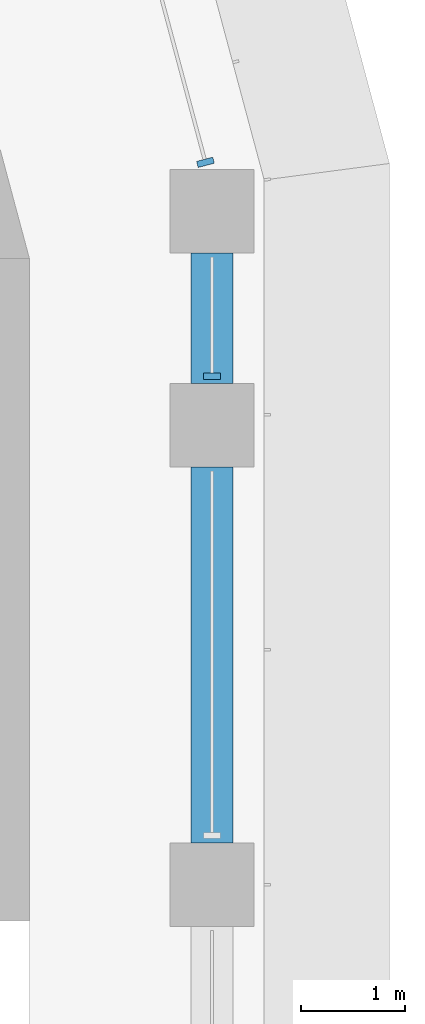
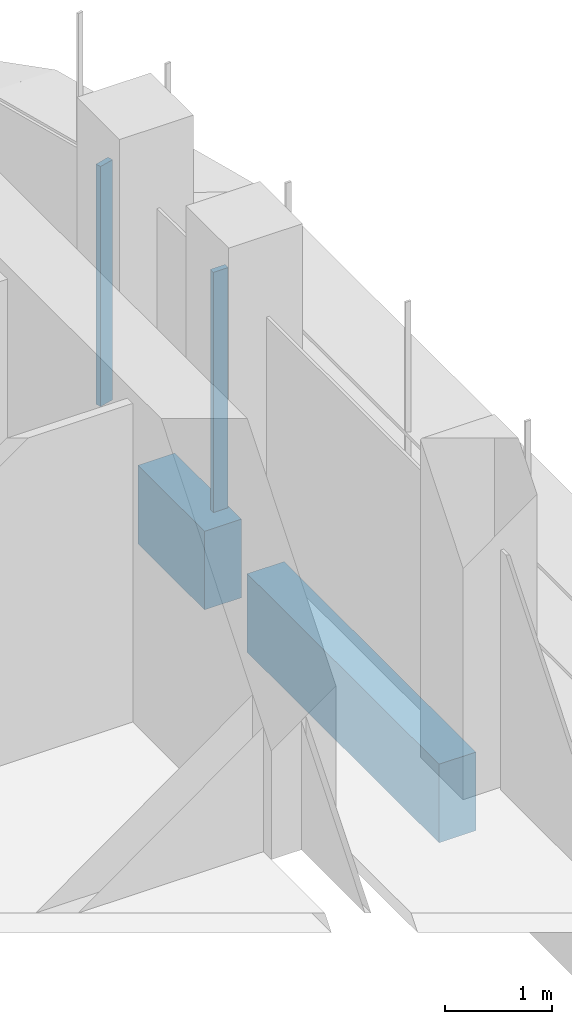
# One storey, part 9 of 20: 2 beams, 2 members, 2 elements without a shape of their own.
"""IFC4 building model written with IfcOpenShell, lengths in metres."""

from ifc_helpers import new_model, si_unit, direction, frame, origin, origin_2d, place, context, subcontext, project, spatial, polyline, rectangle, outline, extrude, source, transform, mapped, material, material_profile, profile_set, type_object, element, aggregate, save


model = new_model("IFC4")

# Units and contexts
model_context = context("Model", 3, precision=1e-05, world=origin(), true_north=direction((0.0, 1.0)))
body_context = subcontext(model_context, "Body", "Model", "MODEL_VIEW")
ifc_project = project(units=[si_unit("LENGTHUNIT", "METRE"), si_unit("AREAUNIT", "SQUARE_METRE"), si_unit("VOLUMEUNIT", "CUBIC_METRE"), si_unit("PLANEANGLEUNIT", "RADIAN"), si_unit("MASSUNIT", "GRAM", prefix="KILO")], contexts=[model_context])

# Site, building, storey
site_placement = place(None, origin())
site = spatial("IfcSite", under=ifc_project, at=site_placement, CompositionType="ELEMENT")
building_placement = place(site_placement, origin())
building = spatial("IfcBuilding", under=site, at=building_placement, Name="Zarbagh Exchange Tower", CompositionType="ELEMENT")
storey_placement = place(building_placement, frame((0.0, 0.0, 152.39990234375)))
storey = spatial("IfcBuildingStorey", under=building, at=storey_placement, Name="L36", CompositionType="ELEMENT", Elevation=152.39990234375)

# Beams
ifc_material_1 = material(Name="Concrete C50/60", Category="concrete")
ifc_material_profile = material_profile(ifc_material_1, rectangle(XDim=0.39990234375, YDim=0.89990234375, at=origin_2d()), Name="RC spandrel beam 400 x 900 C50/60")
ifc_profile_set = profile_set([ifc_material_profile], Name="Concrete C50/60")
beam_type = type_object("IfcBeamType", Name="RC spandrel beam 400 x 900 C50/60", PredefinedType="SPANDREL", material=ifc_profile_set)
beam_1_placement = place(storey_placement, frame((6.25, 26.300048828125, -0.599853515625), z_axis=(0.0, -1.0, 0.0), x_axis=(1.0, 0.0, 0.0)))
element("IfcBeam", 1, at=beam_1_placement, inside=storey, type_object=beam_type, Name="RC spandrel beam", PredefinedType="SPANDREL", context=body_context, shape_type="SweptSolid", body=[
    extrude(rectangle(XDim=0.39990234375, YDim=0.89990234375, at=origin_2d()), origin(), (0.0, 0.0, 1.0), 1.25),
])
beam_2_placement = place(storey_placement, frame((6.25, 24.25, -0.599853515625), z_axis=(0.0, -1.0, 0.0), x_axis=(1.0, 0.0, 0.0)))
element("IfcBeam", 2, at=beam_2_placement, inside=storey, type_object=beam_type, Name="RC spandrel beam", PredefinedType="SPANDREL", context=body_context, shape_type="SweptSolid", body=[
    extrude(rectangle(XDim=0.39990234375, YDim=0.89990234375, at=origin_2d()), origin(), (0.0, 0.0, 1.0), 3.60009765625),
])

# Curtain wall, member
ifc_material_2 = material(Name="Anodised aluminium frame and glazing", Category="aluminium")
curtain_wall_type = type_object("IfcCurtainWallType", Name="CWB Ribbon glazing, upper zones", PredefinedType="NOTDEFINED", material=ifc_material_2)
curtain_wall_1_placement = place(storey_placement, origin())
curtain_wall_1 = element("IfcCurtainWall", 3, at=curtain_wall_1_placement, inside=storey, type_object=curtain_wall_type, Name="CWB20 curtain wall", PredefinedType="NOTDEFINED")
ifc_material_3 = material(Name="Anodised aluminium frame", Category="aluminium")
member_type = type_object("IfcMemberType", Name="MUB Mullion, anodised aluminium frame", PredefinedType="MULLION", material=ifc_material_3)
shared_shape = source(origin(), body_context, "Body", "SweptSolid", [
    extrude(outline(polyline([(0.0, -0.080078125), (0.06005859375, -0.080078125), (0.06005859375, 0.080078125), (0.0, 0.080078125), (0.0, -0.080078125)])), origin(), (0.0, 0.0, 1.0), 2.75),
])
placement = place(storey_placement, origin())
member_1 = element("IfcMember", 4, at=placement, type_object=member_type, Name="CWB20 mullion 4.1", PredefinedType="MULLION", context=body_context, shape_type="MappedRepresentation", body=[
    mapped(shared_shape, transform((6.25, 25.090087890625, 0.0), x_axis=(0.0, 1.0, 0.0), y_axis=(-1.0, 0.0, 0.0), z_axis=(0.0, 0.0, 1.0))),
])
aggregate(curtain_wall_1, [member_1])

curtain_wall_2_placement = place(storey_placement, origin())
curtain_wall_2 = element("IfcCurtainWall", 5, at=curtain_wall_2_placement, inside=storey, type_object=curtain_wall_type, Name="CWB21 curtain wall", PredefinedType="NOTDEFINED")
member_2 = element("IfcMember", 6, at=placement, type_object=member_type, Name="CWB21 mullion 1.1", PredefinedType="MULLION", context=body_context, shape_type="MappedRepresentation", body=[
    mapped(shared_shape, transform((6.19482421875, 27.139892578125, 0.0), x_axis=(-0.258824779902, 0.965924289636, 0.0), y_axis=(-0.965924289636, -0.258824779902, 0.0), z_axis=(0.0, 0.0, 1.0))),
])
aggregate(curtain_wall_2, [member_2])

save(model, "model.ifc")
